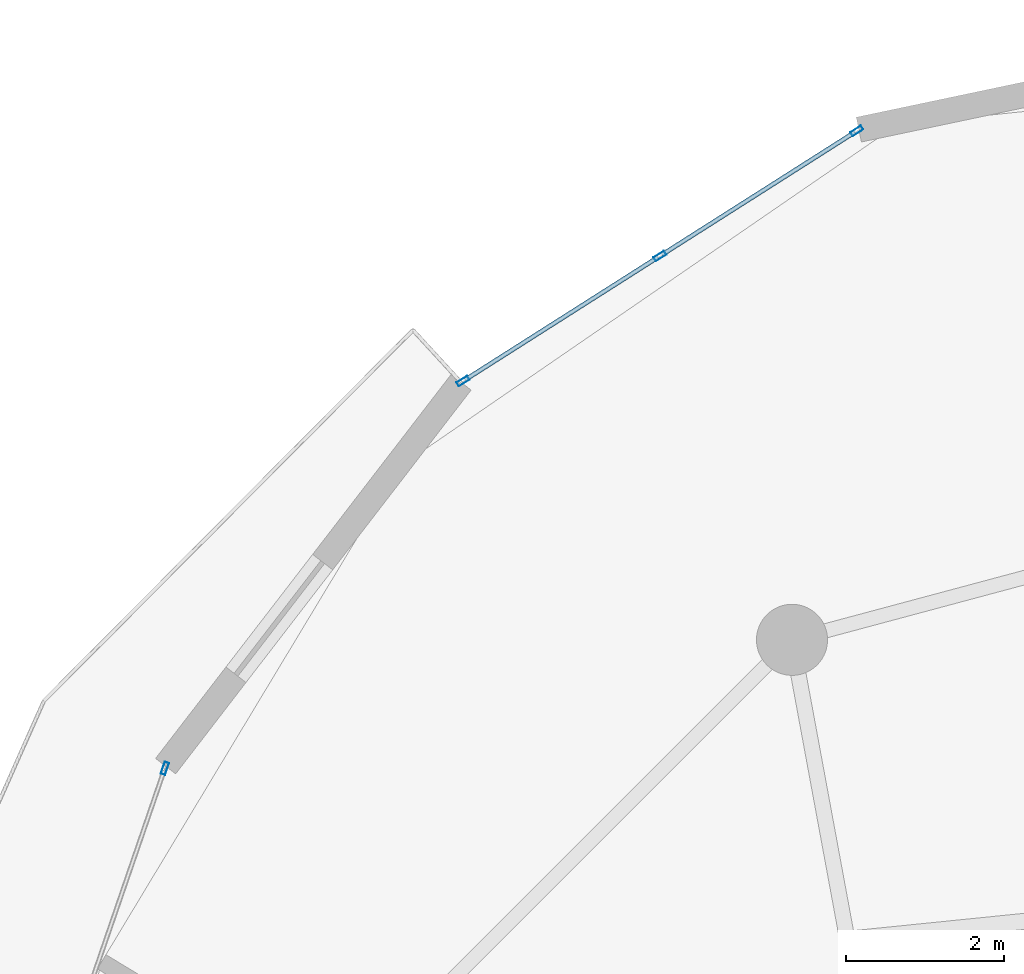
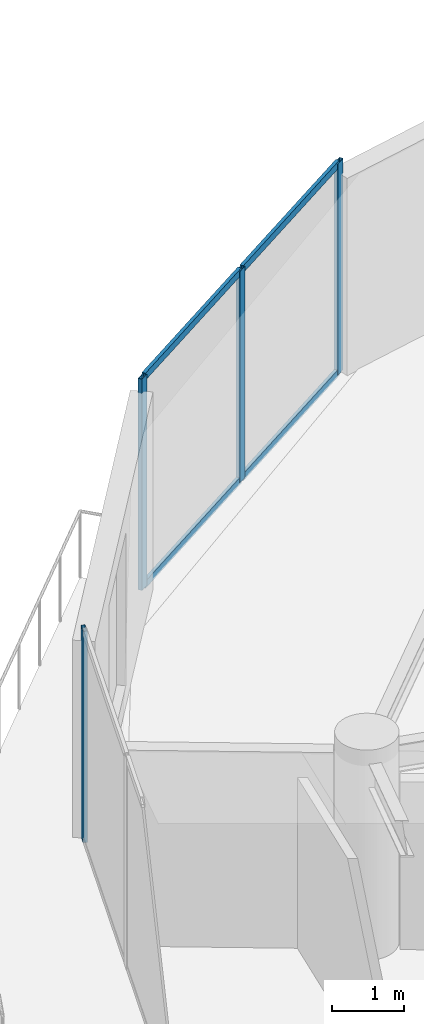
# One storey, part 11 of 19: 8 members, 2 elements without a shape of their own.
"""IFC4 building model written with IfcOpenShell, lengths in metres."""

from ifc_helpers import new_model, si_unit, direction, frame, origin, origin_2d, place, context, subcontext, project, spatial, hollow_rectangle, extrude, source, transform, mapped, material, layer, layer_set, material_profile, profile_set, type_object, element, aggregate, save


model = new_model("IFC4")

# Units and contexts
model_context = context("Model", 3, precision=1e-05, world=origin(), true_north=direction((0.0, 1.0)))
body_context = subcontext(model_context, "Body", "Model", "MODEL_VIEW")
ifc_project = project(units=[si_unit("LENGTHUNIT", "METRE"), si_unit("AREAUNIT", "SQUARE_METRE"), si_unit("VOLUMEUNIT", "CUBIC_METRE"), si_unit("PLANEANGLEUNIT", "RADIAN"), si_unit("MASSUNIT", "GRAM", prefix="KILO")], contexts=[model_context])

# Site, building, storey
site_placement = place(None, origin())
site = spatial("IfcSite", under=ifc_project, at=site_placement, CompositionType="ELEMENT")
building_placement = place(site_placement, origin())
building = spatial("IfcBuilding", under=site, at=building_placement, Name="Solvirekh Grand Hotel", CompositionType="ELEMENT")
storey_placement = place(building_placement, frame((0.0, 0.0, 212.800048828125)))
storey = spatial("IfcBuildingStorey", under=building, at=storey_placement, Name="L55", CompositionType="ELEMENT", Elevation=212.800048828125)

# Curtain wall, members
ifc_material = material(Name="Anodized Bronze Aluminium 6063-T6", Category="aluminium")
ifc_layer = layer(ifc_material, 0.159912109375)
ifc_layer_set = layer_set([ifc_layer], Name="Anodized Bronze Aluminium 6063-T6")
curtain_wall_type = type_object("IfcCurtainWallType", Name="CW_Sys4_HighZoneFlushBronzeCW", PredefinedType="NOTDEFINED", material=ifc_layer_set)
curtain_wall_1_placement = place(storey_placement, origin())
curtain_wall_1 = element("IfcCurtainWall", 1, at=curtain_wall_1_placement, inside=storey, type_object=curtain_wall_type, Name="L55 unitised bronze-glass curtain wall CW-L55-C11", PredefinedType="NOTDEFINED")
ifc_material_profile_1 = material_profile(ifc_material, hollow_rectangle(XDim=0.054931640625, YDim=0.1201171875, WallThickness=0.00390625, at=origin_2d()), Name="ALU RHS 120X55X4")
ifc_profile_set_1 = profile_set([ifc_material_profile_1], Name="Anodized Bronze Aluminium 6063-T6")
member_type_1 = type_object("IfcMemberType", Name="CWTransom_Sys4", PredefinedType="USERDEFINED", material=ifc_profile_set_1)
shared_shape_1 = source(origin(), body_context, "Body", "SweptSolid", [
    extrude(hollow_rectangle(XDim=0.054931640625, YDim=0.1201171875, WallThickness=0.00390625, at=origin_2d()), origin(), (0.0, 0.0, 1.0), 2.893310546875),
])
member_1_placement = place(storey_placement, frame((-7.104736328125, 20.11083984375, 0.02734375), z_axis=(-0.844001829502, -0.536340294773, 0.0), x_axis=(0.536340294773, -0.844001829502, 0.0)))
member_1 = element("IfcMember", 2, at=member_1_placement, type_object=member_type_1, Name="U04 transom 1.1", ObjectType="TRANSOM", PredefinedType="USERDEFINED", context=body_context, shape_type="MappedRepresentation", body=[
    mapped(shared_shape_1, transform((0.0, 0.0, 0.0), x_axis=(1.0, 0.0, 0.0), y_axis=(0.0, 1.0, 0.0), z_axis=(0.0, 0.0, 1.0), scale=1.0)),
])
member_2_placement = place(storey_placement, frame((-7.104736328125, 20.11083984375, 3.572509765625), z_axis=(-0.844001829502, -0.536340294773, 0.0), x_axis=(0.536340294773, -0.844001829502, 0.0)))
member_2 = element("IfcMember", 3, at=member_2_placement, type_object=member_type_1, Name="U04 transom 1.2", ObjectType="TRANSOM", PredefinedType="USERDEFINED", context=body_context, shape_type="MappedRepresentation", body=[
    mapped(shared_shape_1, transform((0.0, 0.0, 0.0), x_axis=(1.0, 0.0, 0.0), y_axis=(0.0, 1.0, 0.0), z_axis=(0.0, 0.0, 1.0), scale=1.0)),
])
member_3_placement = place(storey_placement, frame((-9.597412109375, 18.52685546875, 0.02734375), z_axis=(-0.844001829502, -0.536340294773, 0.0), x_axis=(0.536340294773, -0.844001829502, 0.0)))
member_3 = element("IfcMember", 4, at=member_3_placement, type_object=member_type_1, Name="U04 transom 2.1", ObjectType="TRANSOM", PredefinedType="USERDEFINED", context=body_context, shape_type="MappedRepresentation", body=[
    mapped(shared_shape_1, transform((0.0, 0.0, 0.0), x_axis=(1.0, 0.0, 0.0), y_axis=(0.0, 1.0, 0.0), z_axis=(0.0, 0.0, 1.0), scale=1.0)),
])
member_4_placement = place(storey_placement, frame((-9.597412109375, 18.52685546875, 3.572509765625), z_axis=(-0.844001829502, -0.536340294773, 0.0), x_axis=(0.536340294773, -0.844001829502, 0.0)))
member_4 = element("IfcMember", 5, at=member_4_placement, type_object=member_type_1, Name="U04 transom 2.2", ObjectType="TRANSOM", PredefinedType="USERDEFINED", context=body_context, shape_type="MappedRepresentation", body=[
    mapped(shared_shape_1, transform((0.0, 0.0, 0.0), x_axis=(1.0, 0.0, 0.0), y_axis=(0.0, 1.0, 0.0), z_axis=(0.0, 0.0, 1.0), scale=1.0)),
])
ifc_material_profile_2 = material_profile(ifc_material, hollow_rectangle(XDim=0.06005859375, YDim=0.159912109375, WallThickness=0.0048828125, at=origin_2d()), Name="ALU RHS 160X60X5")
ifc_profile_set_2 = profile_set([ifc_material_profile_2], Name="Anodized Bronze Aluminium 6063-T6")
member_type_2 = type_object("IfcMemberType", Name="CWMullion_Sys4", PredefinedType="MULLION", material=ifc_profile_set_2)
shared_shape_2 = source(origin(), body_context, "Body", "SweptSolid", [
    extrude(hollow_rectangle(XDim=0.06005859375, YDim=0.159912109375, WallThickness=0.0048828125, at=origin_2d()), origin(), (0.0, 0.0, 1.0), 3.599853515625),
])
member_5_placement = place(storey_placement, frame((-7.079345703125, 20.126953125, 0.0), z_axis=(0.0, 0.0, 1.0), x_axis=(0.53631145654, -0.844020154726, 0.0)))
member_5 = element("IfcMember", 6, at=member_5_placement, type_object=member_type_2, Name="U04 mullion 1", PredefinedType="MULLION", context=body_context, shape_type="MappedRepresentation", body=[
    mapped(shared_shape_2, transform((0.0, 0.0, 0.0), x_axis=(1.0, 0.0, 0.0), y_axis=(0.0, 1.0, 0.0), z_axis=(0.0, 0.0, 1.0), scale=1.0)),
])
member_6_placement = place(storey_placement, frame((-9.572021484375, 18.54296875, 0.0), z_axis=(0.0, 0.0, 1.0), x_axis=(0.53631145654, -0.844020154726, 0.0)))
member_6 = element("IfcMember", 7, at=member_6_placement, type_object=member_type_2, Name="U04 mullion 2", PredefinedType="MULLION", context=body_context, shape_type="MappedRepresentation", body=[
    mapped(shared_shape_2, transform((0.0, 0.0, 0.0), x_axis=(1.0, 0.0, 0.0), y_axis=(0.0, 1.0, 0.0), z_axis=(0.0, 0.0, 1.0), scale=1.0)),
])
member_7_placement = place(storey_placement, frame((-12.064697265625, 16.958984375, 0.0), z_axis=(0.0, 0.0, 1.0), x_axis=(0.53631145654, -0.844020154726, 0.0)))
member_7 = element("IfcMember", 8, at=member_7_placement, type_object=member_type_2, Name="U04 mullion 3", PredefinedType="MULLION", context=body_context, shape_type="MappedRepresentation", body=[
    mapped(shared_shape_2, transform((0.0, 0.0, 0.0), x_axis=(1.0, 0.0, 0.0), y_axis=(0.0, 1.0, 0.0), z_axis=(0.0, 0.0, 1.0), scale=1.0)),
])
aggregate(curtain_wall_1, [member_5, member_6, member_7, member_1, member_2, member_3, member_4])

# Curtain wall, member
curtain_wall_2_placement = place(storey_placement, origin())
curtain_wall_2 = element("IfcCurtainWall", 9, at=curtain_wall_2_placement, inside=storey, type_object=curtain_wall_type, Name="L55 unitised bronze-glass curtain wall CW-L55-C13", PredefinedType="NOTDEFINED")
member_8_placement = place(storey_placement, frame((-15.83984375, 12.0556640625, 0.0), z_axis=(0.0, 0.0, 1.0), x_axis=(0.945635465458, -0.325228483483, 0.0)))
member_8 = element("IfcMember", 10, at=member_8_placement, type_object=member_type_2, Name="U04 mullion 1", PredefinedType="MULLION", context=body_context, shape_type="MappedRepresentation", body=[
    mapped(shared_shape_2, transform((0.0, 0.0, 0.0), x_axis=(1.0, 0.0, 0.0), y_axis=(0.0, 1.0, 0.0), z_axis=(0.0, 0.0, 1.0), scale=1.0)),
])
aggregate(curtain_wall_2, [member_8])

save(model, "model.ifc")
